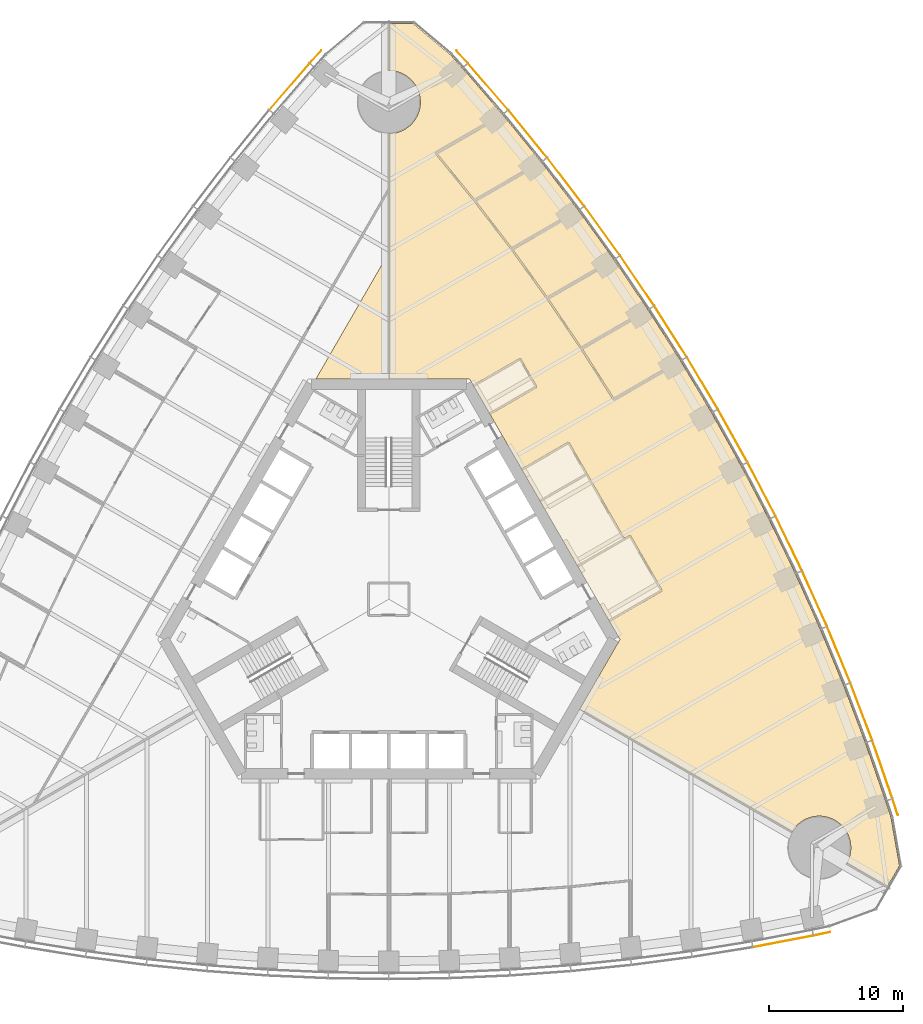
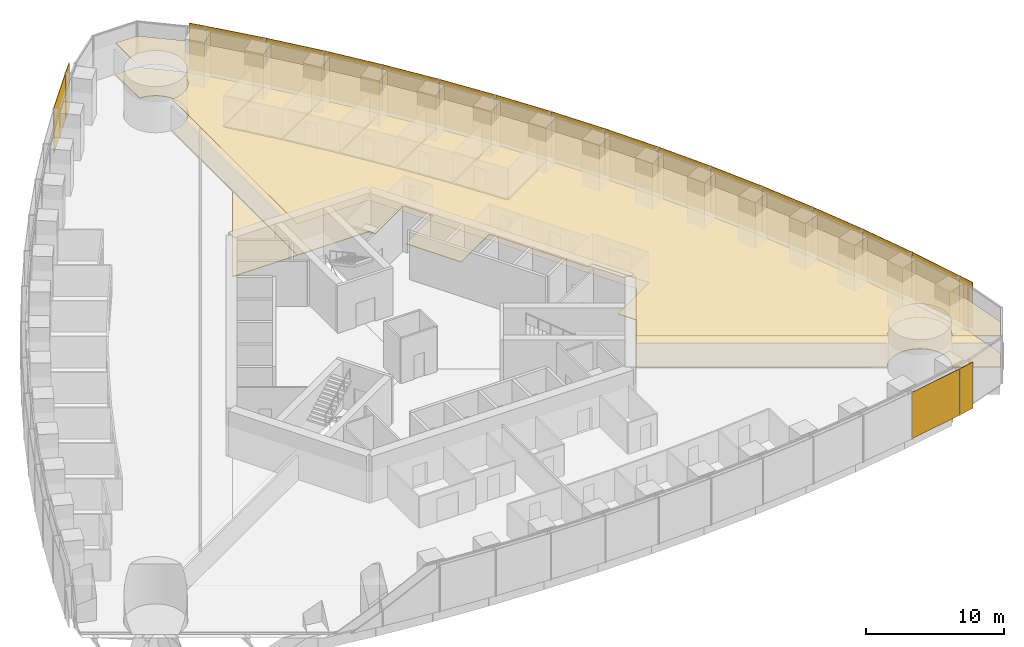
# One storey, part 16 of 18: 20 shading devices, 8 coverings.
"""IFC4 building model written with IfcOpenShell, lengths in metres."""

from ifc_helpers import new_model, si_unit, direction, frame, origin, origin_2d, place, context, subcontext, project, spatial, polyline, rectangle, outline, extrude, material, layer, layer_set, type_object, element, save


model = new_model("IFC4")

# Units and contexts
model_context = context("Model", 3, precision=1e-05, world=origin(), true_north=direction((0.0, 1.0)))
body_context = subcontext(model_context, "Body", "Model", "MODEL_VIEW")
ifc_project = project(units=[si_unit("LENGTHUNIT", "METRE"), si_unit("AREAUNIT", "SQUARE_METRE"), si_unit("VOLUMEUNIT", "CUBIC_METRE"), si_unit("PLANEANGLEUNIT", "RADIAN"), si_unit("MASSUNIT", "GRAM", prefix="KILO")], contexts=[model_context])

# Site, building, storey
site_placement = place(None, origin())
site = spatial("IfcSite", under=ifc_project, at=site_placement, CompositionType="ELEMENT")
building_placement = place(site_placement, origin())
building = spatial("IfcBuilding", under=site, at=building_placement, Name="Trefoil Bronze Tower", CompositionType="ELEMENT")
storey_placement = place(building_placement, frame((0.0, 0.0, 24.89990234375)))
storey = spatial("IfcBuildingStorey", under=building, at=storey_placement, Name="L05", CompositionType="ELEMENT", Elevation=24.89990234375)

# Shading devices
ifc_material_1 = material(Name="Perforated bronze sheet", Category="bronze")
ifc_layer_1 = layer(ifc_material_1, 0.0400390625)
ifc_layer_set_1 = layer_set([ifc_layer_1], Name="Bronze solar screen panel")
shading_device_type = type_object("IfcShadingDeviceType", Name="Bronze solar screen panel", PredefinedType="SHUTTER", material=ifc_layer_set_1)
shading_device_1_placement = place(storey_placement, frame((29.351806640625, -25.478515625, 0.050048828125), z_axis=(0.0, 0.0, 1.0), x_axis=(0.982049823817, 0.188621694249, 0.0)))
element("IfcShadingDevice", 1, at=shading_device_1_placement, inside=storey, type_object=shading_device_type, Name="Solar screen CW-A L05 F1 bay 15", PredefinedType="SHUTTER", context=body_context, shape_type="SweptSolid", body=[
    extrude(rectangle(XDim=4.55224609375, YDim=0.0400390625, at=origin_2d()), origin(), (0.0, 0.0, 1.0), 4.10009765625),
])
for number, where, z_axis, x_axis, name in (
    (2, (32.2431640625, -24.91064453125, 0.050048828125), (0.0, 0.0, 1.0), (0.978302717041, 0.207180582657, 0.0), "Solar screen CW-A L05 F1 bay 16"),
    (3, (37.69482421875, -15.468017578125, 0.050048828125), (0.0, 0.0, 1.0), (-0.309727710769, 0.950825296877, 0.0), "Solar screen CW-A L05 F2 bay 1"),
):
    element("IfcShadingDevice", number, at=place(storey_placement, frame(where, z_axis=z_axis, x_axis=x_axis)), inside=storey, type_object=shading_device_type, Name=name, PredefinedType="SHUTTER", context=body_context, shape_type="SweptSolid", body=[
        extrude(rectangle(XDim=1.260498046875, YDim=0.0400390625, at=origin_2d()), origin(), (0.0, 0.0, 1.0), 4.10009765625),
    ])
shading_device_2_placement = place(storey_placement, frame((36.740966796875, -12.68017578125, 0.050048828125), z_axis=(0.0, 0.0, 1.0), x_axis=(-0.327673732984, 0.944790942332, 0.0)))
element("IfcShadingDevice", 4, at=shading_device_2_placement, inside=storey, type_object=shading_device_type, Name="Solar screen CW-A L05 F2 bay 2", PredefinedType="SHUTTER", context=body_context, shape_type="SweptSolid", body=[
    extrude(rectangle(XDim=4.55224609375, YDim=0.0400390625, at=origin_2d()), origin(), (0.0, 0.0, 1.0), 4.10009765625),
])
shading_device_3_placement = place(storey_placement, frame((35.1748046875, -8.3701171875, 0.050048828125), z_axis=(0.0, 0.0, 1.0), x_axis=(-0.355370585687, 0.934725492767, 0.0)))
element("IfcShadingDevice", 5, at=shading_device_3_placement, inside=storey, type_object=shading_device_type, Name="Solar screen CW-A L05 F2 bay 3", PredefinedType="SHUTTER", context=body_context, shape_type="SweptSolid", body=[
    extrude(rectangle(XDim=4.5283203125, YDim=0.0400390625, at=origin_2d()), origin(), (0.0, 0.0, 1.0), 4.10009765625),
])
shading_device_4_placement = place(storey_placement, frame((33.49072265625, -4.128173828125, 0.050048828125), z_axis=(0.0, 0.0, 1.0), x_axis=(-0.382629580712, 0.923901836758, 0.0)))
element("IfcShadingDevice", 6, at=shading_device_4_placement, inside=storey, type_object=shading_device_type, Name="Solar screen CW-A L05 F2 bay 4", PredefinedType="SHUTTER", context=body_context, shape_type="SweptSolid", body=[
    extrude(rectangle(XDim=4.5087890625, YDim=0.0400390625, at=origin_2d()), origin(), (0.0, 0.0, 1.0), 4.10009765625),
])
shading_device_5_placement = place(storey_placement, frame((31.68994140625, 0.04638671875, 0.050048828125), z_axis=(0.0, 0.0, 1.0), x_axis=(-0.40945635808, 0.912329705111, 0.0)))
element("IfcShadingDevice", 7, at=shading_device_5_placement, inside=storey, type_object=shading_device_type, Name="Solar screen CW-A L05 F2 bay 5", PredefinedType="SHUTTER", context=body_context, shape_type="SweptSolid", body=[
    extrude(rectangle(XDim=4.493408203125, YDim=0.0400390625, at=origin_2d()), origin(), (0.0, 0.0, 1.0), 4.10009765625),
])
shading_device_6_placement = place(storey_placement, frame((29.77392578125, 4.154541015625, 0.050048828125), z_axis=(0.0, 0.0, 1.0), x_axis=(-0.4358553457, 0.900016731858, 0.0)))
element("IfcShadingDevice", 8, at=shading_device_6_placement, inside=storey, type_object=shading_device_type, Name="Solar screen CW-A L05 F2 bay 6", PredefinedType="SHUTTER", context=body_context, shape_type="SweptSolid", body=[
    extrude(rectangle(XDim=4.48193359375, YDim=0.0400390625, at=origin_2d()), origin(), (0.0, 0.0, 1.0), 4.10009765625),
])
shading_device_7_placement = place(storey_placement, frame((27.74365234375, 8.1962890625, 0.050048828125), z_axis=(0.0, 0.0, 1.0), x_axis=(-0.46182981834, 0.886968555752, 0.0)))
element("IfcShadingDevice", 9, at=shading_device_7_placement, inside=storey, type_object=shading_device_type, Name="Solar screen CW-A L05 F2 bay 7", PredefinedType="SHUTTER", context=body_context, shape_type="SweptSolid", body=[
    extrude(rectangle(XDim=4.474365234375, YDim=0.0400390625, at=origin_2d()), origin(), (0.0, 0.0, 1.0), 4.10009765625),
])
for number, where, z_axis, x_axis, name in (
    (10, (25.599365234375, 12.172607421875, 0.050048828125), (0.0, 0.0, 1.0), (-0.487381940453, 0.873188893722, 0.0), "Solar screen CW-A L05 F2 bay 8"),
    (11, (23.341552734375, 16.083251953125, 0.050048828125), (0.0, 0.0, 1.0), (-0.51251279404, 0.858679588639, 0.0), "Solar screen CW-A L05 F2 bay 9"),
):
    element("IfcShadingDevice", number, at=place(storey_placement, frame(where, z_axis=z_axis, x_axis=x_axis)), inside=storey, type_object=shading_device_type, Name=name, PredefinedType="SHUTTER", context=body_context, shape_type="SweptSolid", body=[
        extrude(rectangle(XDim=4.470458984375, YDim=0.0400390625, at=origin_2d()), origin(), (0.0, 0.0, 1.0), 4.10009765625),
    ])
shading_device_8_placement = place(storey_placement, frame((20.97021484375, 19.928466796875, 0.050048828125), z_axis=(0.0, 0.0, 1.0), x_axis=(-0.537222392469, 0.843440632783, 0.0)))
element("IfcShadingDevice", 12, at=shading_device_8_placement, inside=storey, type_object=shading_device_type, Name="Solar screen CW-A L05 F2 bay 10", PredefinedType="SHUTTER", context=body_context, shape_type="SweptSolid", body=[
    extrude(rectangle(XDim=4.474365234375, YDim=0.0400390625, at=origin_2d()), origin(), (0.0, 0.0, 1.0), 4.10009765625),
])
shading_device_9_placement = place(storey_placement, frame((18.48486328125, 23.707763671875, 0.050048828125), z_axis=(0.0, 0.0, 1.0), x_axis=(-0.56150968077, 0.827470167681, 0.0)))
element("IfcShadingDevice", 13, at=shading_device_9_placement, inside=storey, type_object=shading_device_type, Name="Solar screen CW-A L05 F2 bay 11", PredefinedType="SHUTTER", context=body_context, shape_type="SweptSolid", body=[
    extrude(rectangle(XDim=4.48193359375, YDim=0.0400390625, at=origin_2d()), origin(), (0.0, 0.0, 1.0), 4.10009765625),
])
shading_device_10_placement = place(storey_placement, frame((15.88525390625, 27.421142578125, 0.050048828125), z_axis=(0.0, 0.0, 1.0), x_axis=(-0.585372522213, 0.810764460394, 0.0)))
element("IfcShadingDevice", 14, at=shading_device_10_placement, inside=storey, type_object=shading_device_type, Name="Solar screen CW-A L05 F2 bay 12", PredefinedType="SHUTTER", context=body_context, shape_type="SweptSolid", body=[
    extrude(rectangle(XDim=4.493408203125, YDim=0.0400390625, at=origin_2d()), origin(), (0.0, 0.0, 1.0), 4.10009765625),
])
shading_device_11_placement = place(storey_placement, frame((13.170166015625, 31.06787109375, 0.050048828125), z_axis=(0.0, 0.0, 1.0), x_axis=(-0.608807670879, 0.793317855515, 0.0)))
element("IfcShadingDevice", 15, at=shading_device_11_placement, inside=storey, type_object=shading_device_type, Name="Solar screen CW-A L05 F2 bay 13", PredefinedType="SHUTTER", context=body_context, shape_type="SweptSolid", body=[
    extrude(rectangle(XDim=4.5087890625, YDim=0.0400390625, at=origin_2d()), origin(), (0.0, 0.0, 1.0), 4.10009765625),
])
shading_device_12_placement = place(storey_placement, frame((10.338623046875, 34.6474609375, 0.050048828125), z_axis=(0.0, 0.0, 1.0), x_axis=(-0.631810729457, 0.775122701346, 0.0)))
element("IfcShadingDevice", 16, at=shading_device_12_placement, inside=storey, type_object=shading_device_type, Name="Solar screen CW-A L05 F2 bay 14", PredefinedType="SHUTTER", context=body_context, shape_type="SweptSolid", body=[
    extrude(rectangle(XDim=4.5283203125, YDim=0.0400390625, at=origin_2d()), origin(), (0.0, 0.0, 1.0), 4.10009765625),
])
shading_device_13_placement = place(storey_placement, frame((7.38916015625, 38.15869140625, 0.050048828125), z_axis=(0.0, 0.0, 1.0), x_axis=(-0.654376090833, 0.756169248083, 0.0)))
element("IfcShadingDevice", 17, at=shading_device_13_placement, inside=storey, type_object=shading_device_type, Name="Solar screen CW-A L05 F2 bay 15", PredefinedType="SHUTTER", context=body_context, shape_type="SweptSolid", body=[
    extrude(rectangle(XDim=4.55224609375, YDim=0.0400390625, at=origin_2d()), origin(), (0.0, 0.0, 1.0), 4.10009765625),
])
for number, where, z_axis, x_axis, name in (
    (18, (5.45166015625, 40.378662109375, 0.050048828125), (0.0, 0.0, 1.0), (-0.668575006272, 0.743644714221, 0.0), "Solar screen CW-A L05 F2 bay 16"),
    (19, (-5.45166015625, 40.378662109375, 0.050048828125), (0.0, 0.0, 1.0), (-0.668575006272, -0.743644714221, 0.0), "Solar screen CW-A L05 F3 bay 1"),
):
    element("IfcShadingDevice", number, at=place(storey_placement, frame(where, z_axis=z_axis, x_axis=x_axis)), inside=storey, type_object=shading_device_type, Name=name, PredefinedType="SHUTTER", context=body_context, shape_type="SweptSolid", body=[
        extrude(rectangle(XDim=1.260498046875, YDim=0.0400390625, at=origin_2d()), origin(), (0.0, 0.0, 1.0), 4.10009765625),
    ])
shading_device_14_placement = place(storey_placement, frame((-7.38916015625, 38.15869140625, 0.050048828125), z_axis=(0.0, 0.0, 1.0), x_axis=(-0.654376090833, -0.756169248083, 0.0)))
element("IfcShadingDevice", 20, at=shading_device_14_placement, inside=storey, type_object=shading_device_type, Name="Solar screen CW-A L05 F3 bay 2", PredefinedType="SHUTTER", context=body_context, shape_type="SweptSolid", body=[
    extrude(rectangle(XDim=4.55224609375, YDim=0.0400390625, at=origin_2d()), origin(), (0.0, 0.0, 1.0), 4.10009765625),
])

# Coverings
ifc_material_2 = material(Name="Acoustic ceiling panels", Category="mineral fibre")
ifc_layer_2 = layer(ifc_material_2, 0.02001953125)
ifc_layer_set_2 = layer_set([ifc_layer_2], Name="Office ceiling 20")
covering_type_1 = type_object("IfcCoveringType", Name="Office ceiling 20", PredefinedType="CEILING", material=ifc_layer_set_2)
covering_1_placement = place(storey_placement, frame((0.0, 0.0, 2.900146484375)))
element("IfcCovering", 21, at=covering_1_placement, inside=storey, type_object=covering_type_1, Name="Ceiling L05 Open-plan office F2", PredefinedType="CEILING", context=body_context, shape_type="SweptSolid", body=[
    extrude(outline(polyline([(5.4814453125, 39.537841796875), (8.47998046875, 36.072998046875), (11.360107421875, 32.53955078125), (14.123291015625, 28.938720703125), (16.771240234375, 25.271484375), (19.3046875, 21.537841796875), (21.724609375, 17.73876953125), (24.031005859375, 13.87451171875), (26.224609375, 9.944580078125), (28.3046875, 5.949462890625), (30.271240234375, 1.888671875), (32.123291015625, -2.23828125), (33.860107421875, -6.431640625), (35.47998046875, -10.6923828125), (36.9814453125, -15.021728515625), (37.381103515625, -16.248779296875), (38.0146484375, -19.841552734375), (37.110595703125, -21.4072265625), (34.084716796875, -19.661865234375), (34.115478515625, -19.60791015625), (34.167236328125, -19.5048828125), (34.214111328125, -19.3994140625), (34.255615234375, -19.291748046875), (34.291748046875, -19.18212890625), (34.322509765625, -19.071044921875), (34.347900390625, -18.95849609375), (34.367431640625, -18.8447265625), (34.381591796875, -18.730224609375), (34.39013671875, -18.615234375), (34.392822265625, -18.5), (34.39013671875, -18.384765625), (34.381591796875, -18.269775390625), (34.367431640625, -18.1552734375), (34.347900390625, -18.04150390625), (34.322509765625, -17.928955078125), (34.291748046875, -17.81787109375), (34.255615234375, -17.708251953125), (34.214111328125, -17.6005859375), (34.167236328125, -17.4951171875), (34.115478515625, -17.39208984375), (34.05859375, -17.2919921875), (33.996826171875, -17.1943359375), (33.930419921875, -17.10009765625), (33.859619140625, -17.00927734375), (33.7841796875, -16.921875), (33.70458984375, -16.83837890625), (33.62109375, -16.7587890625), (33.53369140625, -16.683349609375), (33.44287109375, -16.612548828125), (33.348388671875, -16.5458984375), (33.251220703125, -16.484375), (33.150634765625, -16.427490234375), (33.047607421875, -16.37548828125), (32.942138671875, -16.328857421875), (32.834716796875, -16.287353515625), (32.72509765625, -16.251220703125), (32.614013671875, -16.220458984375), (32.50146484375, -16.1953125), (32.3876953125, -16.17529296875), (32.273193359375, -16.161376953125), (32.158203125, -16.15283203125), (32.04296875, -16.14990234375), (31.927490234375, -16.15283203125), (31.8125, -16.161376953125), (31.697998046875, -16.17529296875), (31.58447265625, -16.1953125), (31.471923828125, -16.220458984375), (31.36083984375, -16.251220703125), (31.251220703125, -16.287353515625), (31.1435546875, -16.328857421875), (31.0380859375, -16.37548828125), (30.935302734375, -16.427490234375), (30.834716796875, -16.484375), (30.7373046875, -16.5458984375), (30.64306640625, -16.612548828125), (30.552001953125, -16.683349609375), (30.46484375, -16.7587890625), (30.381103515625, -16.83837890625), (30.3017578125, -16.921875), (30.226318359375, -17.00927734375), (30.155517578125, -17.10009765625), (30.089111328125, -17.1943359375), (30.02734375, -17.2919921875), (30.0146484375, -17.31396484375), (14.205810546875, -8.194580078125), (17.205078125, -3.0), (6.00439453125, 16.39990234375), (0.006103515625, 16.39990234375), (0.012939453125, 34.650390625), (0.115234375, 34.65283203125), (0.230224609375, 34.661376953125), (0.3447265625, 34.67529296875), (0.45849609375, 34.6953125), (0.571044921875, 34.720458984375), (0.68212890625, 34.751220703125), (0.791748046875, 34.787353515625), (0.8994140625, 34.828857421875), (1.0048828125, 34.87548828125), (1.10791015625, 34.927490234375), (1.2080078125, 34.984375), (1.3056640625, 35.0458984375), (1.39990234375, 35.112548828125), (1.49072265625, 35.183349609375), (1.578125, 35.2587890625), (1.66162109375, 35.33837890625), (1.7412109375, 35.421875), (1.816650390625, 35.50927734375), (1.887451171875, 35.60009765625), (1.9541015625, 35.6943359375), (2.015625, 35.7919921875), (2.072509765625, 35.89208984375), (2.12451171875, 35.9951171875), (2.171142578125, 36.1005859375), (2.212646484375, 36.208251953125), (2.248779296875, 36.31787109375), (2.279541015625, 36.428955078125), (2.3046875, 36.54150390625), (2.32470703125, 36.6552734375), (2.338623046875, 36.769775390625), (2.34716796875, 36.884765625), (2.35009765625, 37.0), (2.34716796875, 37.115234375), (2.338623046875, 37.230224609375), (2.32470703125, 37.3447265625), (2.3046875, 37.45849609375), (2.279541015625, 37.571044921875), (2.248779296875, 37.68212890625), (2.212646484375, 37.791748046875), (2.171142578125, 37.8994140625), (2.12451171875, 38.0048828125), (2.072509765625, 38.10791015625), (2.015625, 38.2080078125), (1.9541015625, 38.3056640625), (1.887451171875, 38.39990234375), (1.816650390625, 38.49072265625), (1.7412109375, 38.578125), (1.66162109375, 38.66162109375), (1.578125, 38.7412109375), (1.49072265625, 38.816650390625), (1.39990234375, 38.887451171875), (1.3056640625, 38.9541015625), (1.2080078125, 39.015625), (1.10791015625, 39.072509765625), (1.0048828125, 39.12451171875), (0.8994140625, 39.171142578125), (0.791748046875, 39.212646484375), (0.68212890625, 39.248779296875), (0.571044921875, 39.279541015625), (0.45849609375, 39.3046875), (0.3447265625, 39.32470703125), (0.230224609375, 39.338623046875), (0.115234375, 39.34716796875), (0.014892578125, 39.349609375), (0.01611328125, 42.84228515625), (1.82421875, 42.84228515625), (4.618896484375, 40.497314453125), (5.4814453125, 39.537841796875)])), origin(), (0.0, 0.0, 1.0), 0.02001953125),
])
ifc_material_3 = material(Name="Raised access floor panels", Category="steel")
ifc_layer_3 = layer(ifc_material_3, 0.050048828125)
ifc_layer_set_3 = layer_set([ifc_layer_3], Name="Raised access floor 150")
covering_type_2 = type_object("IfcCoveringType", Name="Raised access floor 150", PredefinedType="FLOORING", material=ifc_layer_set_3)
covering_2_placement = place(storey_placement, frame((0.0, 0.0, 0.10009765625)))
element("IfcCovering", 22, at=covering_2_placement, inside=storey, type_object=covering_type_2, Name="Raised floor L05 Office F2", PredefinedType="FLOORING", context=body_context, shape_type="SweptSolid", body=[
    extrude(outline(polyline([(11.360107421875, 32.53955078125), (9.977294921875, 31.7412109375), (9.947265625, 31.793212890625), (6.394775390625, 29.741943359375), (3.59130859375, 33.18115234375), (7.12060546875, 35.21875), (7.090576171875, 35.270751953125), (8.47998046875, 36.072998046875), (11.360107421875, 32.53955078125)])), origin(), (0.0, 0.0, 1.0), 0.050048828125),
])
covering_3_placement = place(storey_placement, frame((0.0, 0.0, 0.10009765625)))
element("IfcCovering", 23, at=covering_3_placement, inside=storey, type_object=covering_type_2, Name="Raised floor L05 Office F2", PredefinedType="FLOORING", context=body_context, shape_type="SweptSolid", body=[
    extrude(outline(polyline([(11.360107421875, 32.53955078125), (14.123291015625, 28.938720703125), (12.745849609375, 28.143310546875), (12.7158203125, 28.1953125), (9.1591796875, 26.14208984375), (6.4697265625, 29.646728515625), (10.007080078125, 31.689208984375), (9.977294921875, 31.7412109375), (11.360107421875, 32.53955078125)])), origin(), (0.0, 0.0, 1.0), 0.050048828125),
])
covering_4_placement = place(storey_placement, frame((0.0, 0.0, 0.10009765625)))
element("IfcCovering", 24, at=covering_4_placement, inside=storey, type_object=covering_type_2, Name="Raised floor L05 Office F2", PredefinedType="FLOORING", context=body_context, shape_type="SweptSolid", body=[
    extrude(outline(polyline([(16.771240234375, 25.271484375), (15.397705078125, 24.478515625), (15.367919921875, 24.5302734375), (11.80859375, 22.475341796875), (9.231201171875, 26.044921875), (12.77587890625, 28.091552734375), (12.745849609375, 28.143310546875), (14.123291015625, 28.938720703125), (16.771240234375, 25.271484375)])), origin(), (0.0, 0.0, 1.0), 0.050048828125),
])
covering_5_placement = place(storey_placement, frame((0.0, 0.0, 0.10009765625)))
element("IfcCovering", 25, at=covering_5_placement, inside=storey, type_object=covering_type_2, Name="Raised floor L05 Office F2", PredefinedType="FLOORING", context=body_context, shape_type="SweptSolid", body=[
    extrude(outline(polyline([(16.771240234375, 25.271484375), (19.3046875, 21.537841796875), (17.93408203125, 20.74658203125), (17.904052734375, 20.798583984375), (14.343505859375, 18.742919921875), (11.87744140625, 22.376708984375), (15.427734375, 24.426513671875), (15.397705078125, 24.478515625), (16.771240234375, 25.271484375)])), origin(), (0.0, 0.0, 1.0), 0.050048828125),
])
covering_6_placement = place(storey_placement, frame((0.0, 0.0, 0.10009765625)))
element("IfcCovering", 26, at=covering_6_placement, inside=storey, type_object=covering_type_2, Name="Raised floor L05 Meeting room F2", PredefinedType="FLOORING", context=body_context, shape_type="SweptSolid", body=[
    extrude(outline(polyline([(21.724609375, 17.73876953125), (20.355712890625, 16.948486328125), (20.32568359375, 17.00048828125), (16.7646484375, 14.944580078125), (14.409423828125, 18.642333984375), (17.964111328125, 20.694580078125), (17.93408203125, 20.74658203125), (19.3046875, 21.537841796875), (21.724609375, 17.73876953125)])), origin(), (0.0, 0.0, 1.0), 0.050048828125),
])
covering_7_placement = place(storey_placement, frame((0.0, 0.0, 0.10009765625)))
element("IfcCovering", 27, at=covering_7_placement, inside=storey, type_object=covering_type_2, Name="Raised floor L05 Open-plan office F2", PredefinedType="FLOORING", context=body_context, shape_type="SweptSolid", body=[
    extrude(outline(polyline([(5.4814453125, 39.537841796875), (8.47998046875, 36.072998046875), (7.090576171875, 35.270751953125), (7.060546875, 35.32275390625), (3.470458984375, 33.249755859375), (3.50048828125, 33.197998046875), (3.453857421875, 33.159912109375), (6.33349609375, 29.627197265625), (9.095703125, 26.02783203125), (11.742431640625, 22.36181640625), (14.27490234375, 18.6298828125), (16.6943359375, 14.83154296875), (16.744873046875, 14.86376953125), (16.77490234375, 14.81201171875), (20.385498046875, 16.896484375), (20.355712890625, 16.948486328125), (21.724609375, 17.73876953125), (24.031005859375, 13.87451171875), (26.224609375, 9.944580078125), (28.3046875, 5.949462890625), (30.271240234375, 1.888671875), (32.123291015625, -2.23828125), (33.860107421875, -6.431640625), (35.47998046875, -10.6923828125), (36.9814453125, -15.021728515625), (37.381103515625, -16.248779296875), (38.0146484375, -19.841552734375), (37.110595703125, -21.4072265625), (34.084716796875, -19.661865234375), (34.115478515625, -19.60791015625), (34.167236328125, -19.5048828125), (34.214111328125, -19.3994140625), (34.255615234375, -19.291748046875), (34.291748046875, -19.18212890625), (34.322509765625, -19.071044921875), (34.347900390625, -18.95849609375), (34.367431640625, -18.8447265625), (34.381591796875, -18.730224609375), (34.39013671875, -18.615234375), (34.392822265625, -18.5), (34.39013671875, -18.384765625), (34.381591796875, -18.269775390625), (34.367431640625, -18.1552734375), (34.347900390625, -18.04150390625), (34.322509765625, -17.928955078125), (34.291748046875, -17.81787109375), (34.255615234375, -17.708251953125), (34.214111328125, -17.6005859375), (34.167236328125, -17.4951171875), (34.115478515625, -17.39208984375), (34.05859375, -17.2919921875), (33.996826171875, -17.1943359375), (33.930419921875, -17.10009765625), (33.859619140625, -17.00927734375), (33.7841796875, -16.921875), (33.70458984375, -16.83837890625), (33.62109375, -16.7587890625), (33.53369140625, -16.683349609375), (33.44287109375, -16.612548828125), (33.348388671875, -16.5458984375), (33.251220703125, -16.484375), (33.150634765625, -16.427490234375), (33.047607421875, -16.37548828125), (32.942138671875, -16.328857421875), (32.834716796875, -16.287353515625), (32.72509765625, -16.251220703125), (32.614013671875, -16.220458984375), (32.50146484375, -16.1953125), (32.3876953125, -16.17529296875), (32.273193359375, -16.161376953125), (32.158203125, -16.15283203125), (32.04296875, -16.14990234375), (31.927490234375, -16.15283203125), (31.8125, -16.161376953125), (31.697998046875, -16.17529296875), (31.58447265625, -16.1953125), (31.471923828125, -16.220458984375), (31.36083984375, -16.251220703125), (31.251220703125, -16.287353515625), (31.1435546875, -16.328857421875), (31.0380859375, -16.37548828125), (30.935302734375, -16.427490234375), (30.834716796875, -16.484375), (30.7373046875, -16.5458984375), (30.64306640625, -16.612548828125), (30.552001953125, -16.683349609375), (30.46484375, -16.7587890625), (30.381103515625, -16.83837890625), (30.3017578125, -16.921875), (30.226318359375, -17.00927734375), (30.155517578125, -17.10009765625), (30.089111328125, -17.1943359375), (30.02734375, -17.2919921875), (30.0146484375, -17.31396484375), (14.205810546875, -8.194580078125), (17.205078125, -3.0), (16.434814453125, -1.665771484375), (20.331787109375, 0.584228515625), (20.302001953125, 0.63623046875), (20.353759765625, 0.666259765625), (18.00390625, 4.736572265625), (17.951904296875, 4.70654296875), (17.921875, 4.75830078125), (17.540771484375, 4.538330078125), (13.4208984375, 11.674560546875), (13.368896484375, 11.64453125), (13.3388671875, 11.6962890625), (9.874755859375, 9.6962890625), (7.53466796875, 13.74951171875), (10.998779296875, 15.74951171875), (10.96875, 15.801513671875), (11.020751953125, 15.831298828125), (9.82080078125, 17.909912109375), (9.768798828125, 17.8798828125), (9.73876953125, 17.931884765625), (6.274658203125, 15.931884765625), (6.00439453125, 16.39990234375), (0.006103515625, 16.39990234375), (0.012939453125, 34.650390625), (0.115234375, 34.65283203125), (0.230224609375, 34.661376953125), (0.3447265625, 34.67529296875), (0.45849609375, 34.6953125), (0.571044921875, 34.720458984375), (0.68212890625, 34.751220703125), (0.791748046875, 34.787353515625), (0.8994140625, 34.828857421875), (1.0048828125, 34.87548828125), (1.10791015625, 34.927490234375), (1.2080078125, 34.984375), (1.3056640625, 35.0458984375), (1.39990234375, 35.112548828125), (1.49072265625, 35.183349609375), (1.578125, 35.2587890625), (1.66162109375, 35.33837890625), (1.7412109375, 35.421875), (1.816650390625, 35.50927734375), (1.887451171875, 35.60009765625), (1.9541015625, 35.6943359375), (2.015625, 35.7919921875), (2.072509765625, 35.89208984375), (2.12451171875, 35.9951171875), (2.171142578125, 36.1005859375), (2.212646484375, 36.208251953125), (2.248779296875, 36.31787109375), (2.279541015625, 36.428955078125), (2.3046875, 36.54150390625), (2.32470703125, 36.6552734375), (2.338623046875, 36.769775390625), (2.34716796875, 36.884765625), (2.35009765625, 37.0), (2.34716796875, 37.115234375), (2.338623046875, 37.230224609375), (2.32470703125, 37.3447265625), (2.3046875, 37.45849609375), (2.279541015625, 37.571044921875), (2.248779296875, 37.68212890625), (2.212646484375, 37.791748046875), (2.171142578125, 37.8994140625), (2.12451171875, 38.0048828125), (2.072509765625, 38.10791015625), (2.015625, 38.2080078125), (1.9541015625, 38.3056640625), (1.887451171875, 38.39990234375), (1.816650390625, 38.49072265625), (1.7412109375, 38.578125), (1.66162109375, 38.66162109375), (1.578125, 38.7412109375), (1.49072265625, 38.816650390625), (1.39990234375, 38.887451171875), (1.3056640625, 38.9541015625), (1.2080078125, 39.015625), (1.10791015625, 39.072509765625), (1.0048828125, 39.12451171875), (0.8994140625, 39.171142578125), (0.791748046875, 39.212646484375), (0.68212890625, 39.248779296875), (0.571044921875, 39.279541015625), (0.45849609375, 39.3046875), (0.3447265625, 39.32470703125), (0.230224609375, 39.338623046875), (0.115234375, 39.34716796875), (0.014892578125, 39.349609375), (0.01611328125, 42.84228515625), (1.82421875, 42.84228515625), (4.618896484375, 40.497314453125), (5.4814453125, 39.537841796875)])), origin(), (0.0, 0.0, 1.0), 0.050048828125),
])
covering_8_placement = place(storey_placement, frame((0.0, 0.0, 0.10009765625)))
element("IfcCovering", 28, at=covering_8_placement, inside=storey, type_object=covering_type_2, Name="Raised floor L05 Open-plan office F3", PredefinedType="FLOORING", context=body_context, shape_type="SweptSolid", body=[
    extrude(outline(polyline([(-0.006103515625, 16.39990234375), (-5.427001953125, 16.39990234375), (-0.009765625, 25.783203125), (-0.006103515625, 16.39990234375)])), origin(), (0.0, 0.0, 1.0), 0.050048828125),
])

save(model, "model.ifc")
